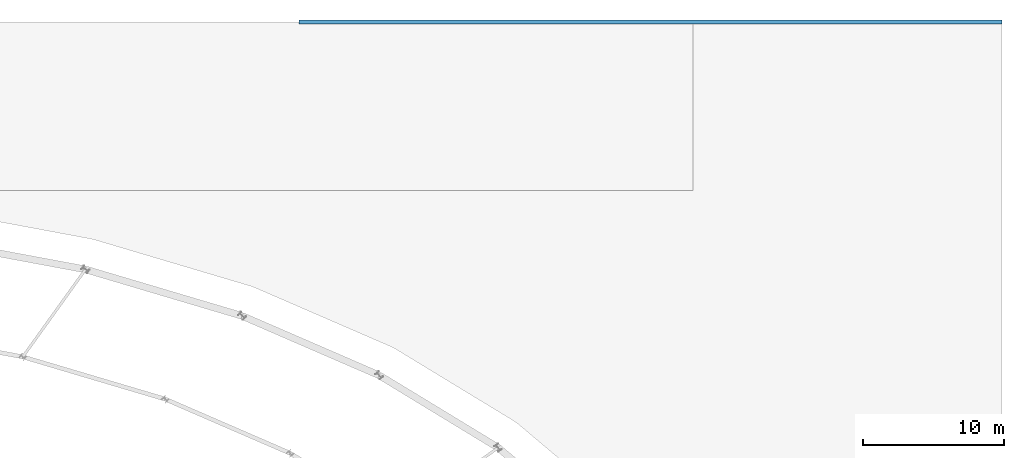
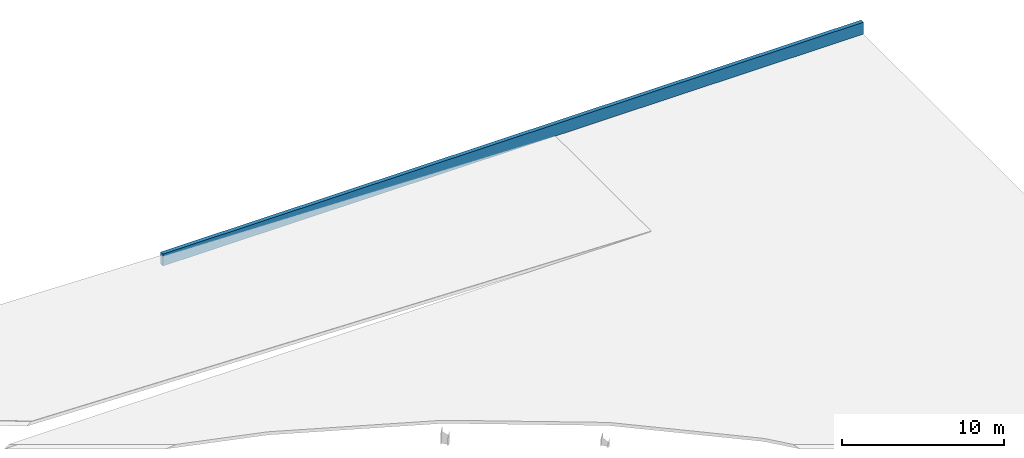
# One storey, part 41 of 45: 1 wall.
"""IFC4 building model written with IfcOpenShell, lengths in metres."""

from ifc_helpers import new_model, si_unit, direction, frame, frame_2d, origin, place, context, subcontext, project, spatial, rectangle, extrude, material, layer, layer_set, type_object, element, save


model = new_model("IFC4")

# Units and contexts
model_context = context("Model", 3, precision=1e-05, world=origin(), true_north=direction((0.0, 1.0)))
body_context = subcontext(model_context, "Body", "Model", "MODEL_VIEW")
ifc_project = project(units=[si_unit("LENGTHUNIT", "METRE"), si_unit("AREAUNIT", "SQUARE_METRE"), si_unit("VOLUMEUNIT", "CUBIC_METRE"), si_unit("PLANEANGLEUNIT", "RADIAN"), si_unit("MASSUNIT", "GRAM", prefix="KILO")], contexts=[model_context])

# Site, building, storey
site_placement = place(None, origin())
site = spatial("IfcSite", under=ifc_project, at=site_placement, CompositionType="ELEMENT")
building_placement = place(site_placement, origin())
building = spatial("IfcBuilding", under=site, at=building_placement, Name="Mphavela Belvedere Stadium", CompositionType="ELEMENT")
storey_placement = place(building_placement, frame((0.0, 0.0, 24.0)))
storey = spatial("IfcBuildingStorey", under=building, at=storey_placement, Name="L05", CompositionType="ELEMENT", Elevation=24.0)

# Wall
ifc_material = material(Name="Honed ashlar limestone coping wall", Category="masonry")
ifc_layer = layer(ifc_material, 0.280029296875)
ifc_layer_set = layer_set([ifc_layer], Name="Honed ashlar limestone coping wall")
wall_type = type_object("IfcWallType", Name="WAL-PARAPET-280", PredefinedType="PARAPET", material=ifc_layer_set)
wall_placement = place(storey_placement, frame((180.0, 174.0, 0.239990234375), z_axis=(0.0, 0.0, 1.0), x_axis=(1.0, 0.0, 0.0)))
element("IfcWall", 1, at=wall_placement, inside=storey, type_object=wall_type, Name="North Mast and Ceremonial End Forecourt classical eaves parapet B", PredefinedType="PARAPET", context=body_context, shape_type="SweptSolid", body=[
    extrude(rectangle(XDim=50.0, YDim=0.280029296875, at=frame_2d((25.0, 0.0))), origin(), (0.0, 0.0, 1.0), 0.89990234375),
])

save(model, "model.ifc")
